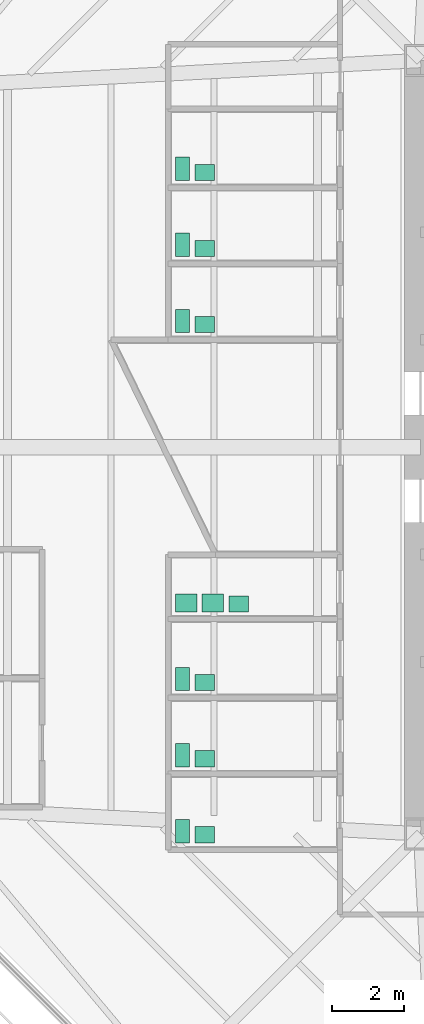
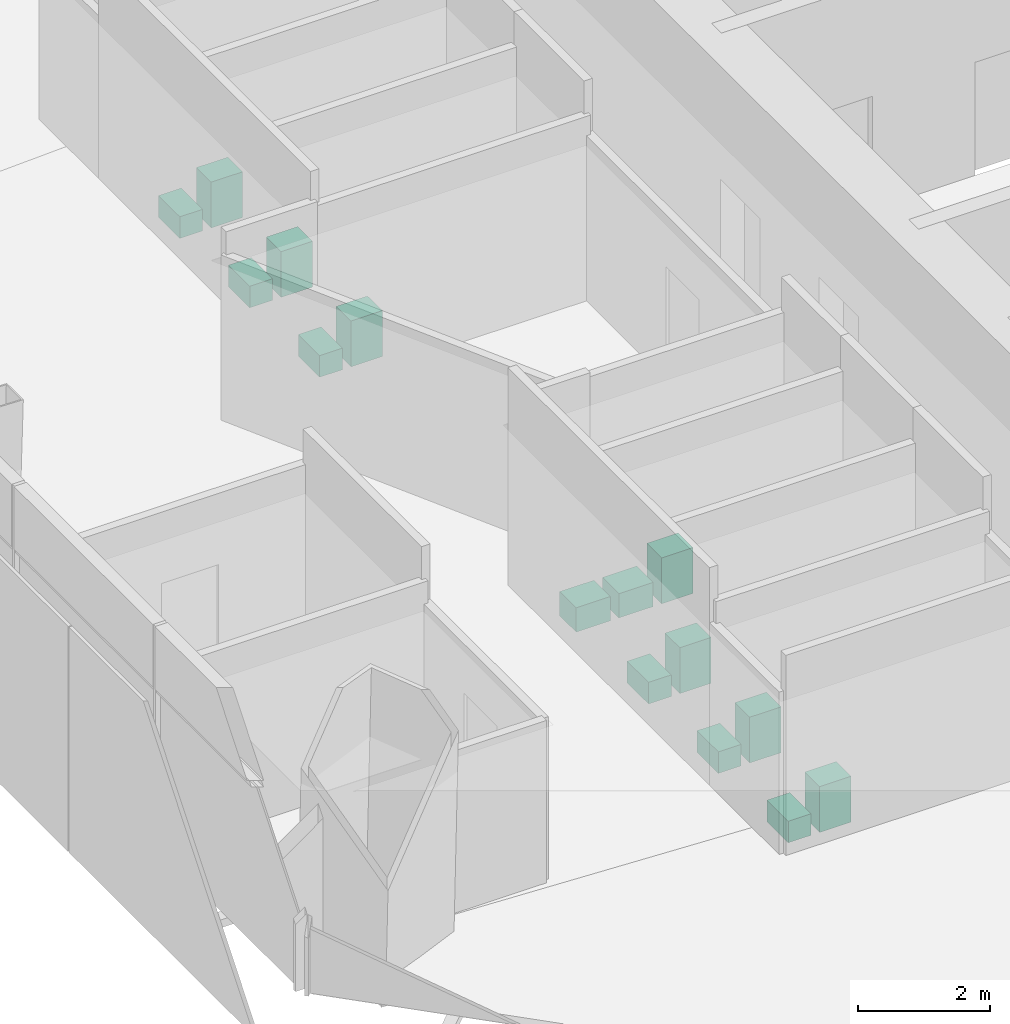
# One storey, part 15 of 15: 15 sanitary terminals.
"""IFC4 building model written with IfcOpenShell, lengths in metres."""

from ifc_helpers import new_model, si_unit, direction, frame, origin, origin_2d, place, context, subcontext, project, spatial, rectangle, extrude, material, type_object, element, save


model = new_model("IFC4")

# Units and contexts
model_context = context("Model", 3, precision=1e-05, world=origin(), true_north=direction((0.0, 1.0)))
body_context = subcontext(model_context, "Body", "Model", "MODEL_VIEW")
ifc_project = project(units=[si_unit("LENGTHUNIT", "METRE"), si_unit("AREAUNIT", "SQUARE_METRE"), si_unit("VOLUMEUNIT", "CUBIC_METRE"), si_unit("PLANEANGLEUNIT", "RADIAN"), si_unit("MASSUNIT", "GRAM", prefix="KILO")], contexts=[model_context])

# Site, building, storey
site_placement = place(None, origin())
site = spatial("IfcSite", under=ifc_project, at=site_placement, CompositionType="ELEMENT")
building_placement = place(site_placement, origin())
building = spatial("IfcBuilding", under=site, at=building_placement, Name="Mashrafa Tower", CompositionType="ELEMENT")
storey_placement = place(building_placement, frame((0.0, 0.0, 70.800048828125)))
storey = spatial("IfcBuildingStorey", under=building, at=storey_placement, Name="L15", CompositionType="ELEMENT", Elevation=70.800048828125)

# Sanitary terminals
ifc_material_1 = material(Name="Stainless steel", Category="steel")
sanitary_terminal_type_1 = type_object("IfcSanitaryTerminalType", Name="Ablution wash station 600 x 500", PredefinedType="WASHHANDBASIN", material=ifc_material_1)
for number, where, z_axis, x_axis, name in (
    (1, (-17.35009765625, -4.35009765625, 0.0), (0.0, 0.0, 1.0), (1.0, 0.0, 0.0), "Ablution wash station Ablution Room L15 S"),
    (2, (-16.60009765625, -4.35009765625, 0.0), (0.0, 0.0, 1.0), (1.0, 0.0, 0.0), "Ablution wash station Ablution Room L15 S"),
):
    element("IfcSanitaryTerminal", number, at=place(storey_placement, frame(where, z_axis=z_axis, x_axis=x_axis)), inside=storey, type_object=sanitary_terminal_type_1, Name=name, PredefinedType="WASHHANDBASIN", context=body_context, shape_type="SweptSolid", body=[
        extrude(rectangle(XDim=0.60009765625, YDim=0.5, at=origin_2d()), origin(), (0.0, 0.0, 1.0), 0.449951171875),
    ])
ifc_material_2 = material(Name="Vitreous china")
sanitary_terminal_type_2 = type_object("IfcSanitaryTerminalType", Name="Toilet pan 400 x 650", PredefinedType="TOILETPAN", material=ifc_material_2)
for number, where, z_axis, x_axis, name in (
    (3, (-17.449951171875, 3.52490234375, 0.0), (0.0, 0.0, 1.0), (1.0, 0.0, 0.0), "Toilet pan WC Female L15 N"),
    (4, (-17.449951171875, 5.64990234375, 0.0), (0.0, 0.0, 1.0), (1.0, 0.0, 0.0), "Toilet pan WC Male L15 N"),
    (5, (-17.449951171875, 7.77490234375, 0.0), (0.0, 0.0, 1.0), (1.0, 0.0, 0.0), "Toilet pan Accessible WC L15 N"),
    (6, (-17.449951171875, -10.72509765625, 0.0), (0.0, 0.0, 1.0), (1.0, 0.0, 0.0), "Toilet pan WC Female L15 S"),
    (7, (-17.449951171875, -8.60009765625, 0.0), (0.0, 0.0, 1.0), (1.0, 0.0, 0.0), "Toilet pan WC Male L15 S"),
    (8, (-17.449951171875, -6.47509765625, 0.0), (0.0, 0.0, 1.0), (1.0, 0.0, 0.0), "Toilet pan Accessible WC L15 S"),
):
    element("IfcSanitaryTerminal", number, at=place(storey_placement, frame(where, z_axis=z_axis, x_axis=x_axis)), inside=storey, type_object=sanitary_terminal_type_2, Name=name, PredefinedType="TOILETPAN", context=body_context, shape_type="SweptSolid", body=[
        extrude(rectangle(XDim=0.39990234375, YDim=0.64990234375, at=origin_2d()), origin(), (0.0, 0.0, 1.0), 0.39990234375),
    ])
ifc_material_3 = material(Name="Vitreous china")
sanitary_terminal_type_3 = type_object("IfcSanitaryTerminalType", Name="Wash basin 550 x 450", PredefinedType="WASHHANDBASIN", material=ifc_material_3)
for number, where, z_axis, x_axis, name in (
    (9, (-16.824951171875, 3.425048828125, 0.0), (0.0, 0.0, 1.0), (1.0, 0.0, 0.0), "Wash basin WC Female L15 N"),
    (10, (-16.824951171875, 5.550048828125, 0.0), (0.0, 0.0, 1.0), (1.0, 0.0, 0.0), "Wash basin WC Male L15 N"),
    (11, (-16.824951171875, 7.675048828125, 0.0), (0.0, 0.0, 1.0), (1.0, 0.0, 0.0), "Wash basin Accessible WC L15 N"),
    (12, (-16.824951171875, -10.824951171875, 0.0), (0.0, 0.0, 1.0), (1.0, 0.0, 0.0), "Wash basin WC Female L15 S"),
    (13, (-16.824951171875, -8.699951171875, 0.0), (0.0, 0.0, 1.0), (1.0, 0.0, 0.0), "Wash basin WC Male L15 S"),
    (14, (-16.824951171875, -6.574951171875, 0.0), (0.0, 0.0, 1.0), (1.0, 0.0, 0.0), "Wash basin Accessible WC L15 S"),
    (15, (-15.875, -4.375, 0.0), (0.0, 0.0, 1.0), (1.0, 0.0, 0.0), "Wash basin Ablution Room L15 S"),
):
    element("IfcSanitaryTerminal", number, at=place(storey_placement, frame(where, z_axis=z_axis, x_axis=x_axis)), inside=storey, type_object=sanitary_terminal_type_3, Name=name, PredefinedType="WASHHANDBASIN", context=body_context, shape_type="SweptSolid", body=[
        extrude(rectangle(XDim=0.550048828125, YDim=0.449951171875, at=origin_2d()), origin(), (0.0, 0.0, 1.0), 0.85009765625),
    ])

save(model, "model.ifc")
